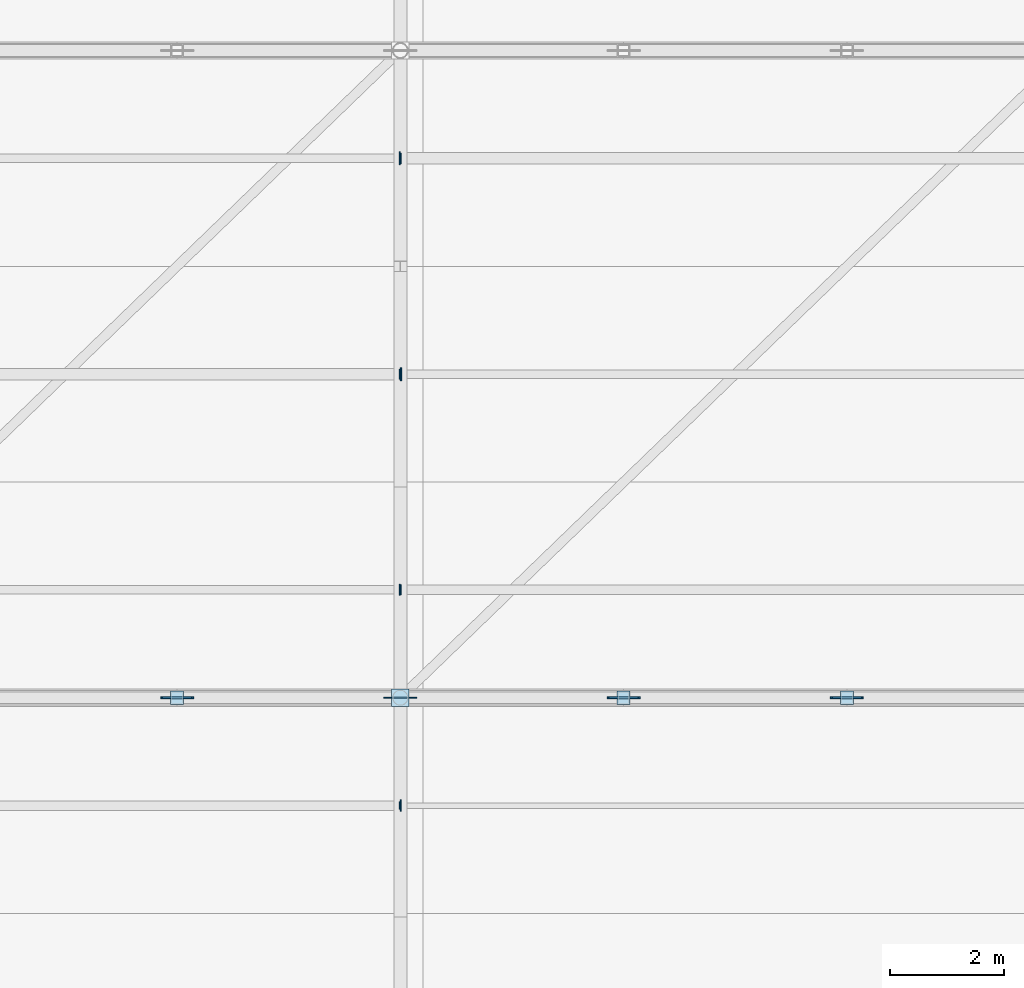
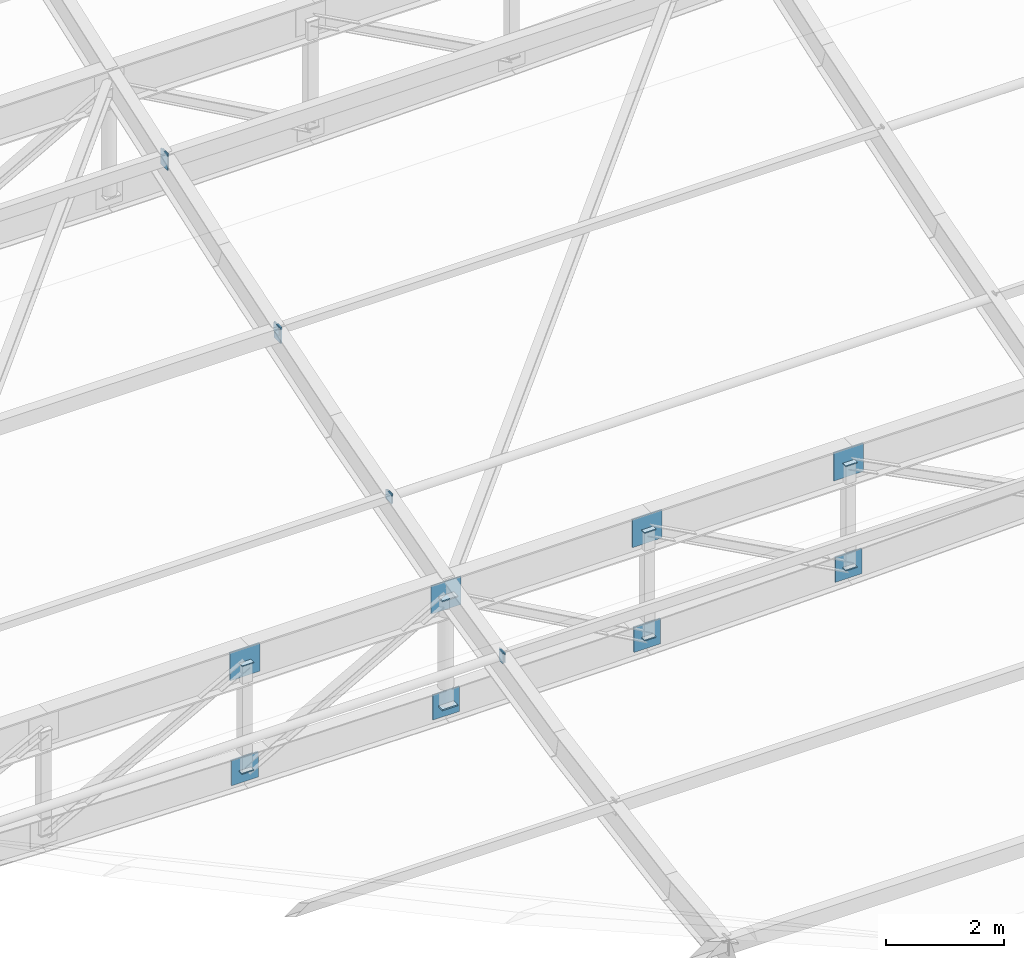
# One storey, part 53 of 65: 24 plates.
"""IFC4 building model written with IfcOpenShell, lengths in metres."""

from ifc_helpers import new_model, si_unit, direction, frame, origin, origin_2d, place, context, subcontext, project, spatial, rectangle, extrude, material, layer, layer_set, type_object, element, save


model = new_model("IFC4")

# Units and contexts
model_context = context("Model", 3, precision=1e-05, world=origin(), true_north=direction((0.0, 1.0)))
body_context = subcontext(model_context, "Body", "Model", "MODEL_VIEW")
ifc_project = project(units=[si_unit("LENGTHUNIT", "METRE"), si_unit("AREAUNIT", "SQUARE_METRE"), si_unit("VOLUMEUNIT", "CUBIC_METRE"), si_unit("PLANEANGLEUNIT", "RADIAN"), si_unit("MASSUNIT", "GRAM", prefix="KILO"), si_unit("POWERUNIT", "WATT"), si_unit("THERMODYNAMICTEMPERATUREUNIT", "KELVIN")], contexts=[model_context])

# Site, building, storey
site_placement = place(None, origin())
site = spatial("IfcSite", under=ifc_project, at=site_placement, CompositionType="ELEMENT")
building_placement = place(site_placement, origin())
building = spatial("IfcBuilding", under=site, at=building_placement, Name="Kelmbourne Parkland Aquatics Centre", CompositionType="ELEMENT")
storey_placement = place(building_placement, frame((0.0, 0.0, 27.0)))
storey = spatial("IfcBuildingStorey", under=building, at=storey_placement, Name="RF", CompositionType="ELEMENT", Elevation=27.0)

# Plates
ifc_material = material(Name="Welded plate steel AS/NZS 3678 Grade 350", Category="steel")
ifc_layer_1 = layer(ifc_material, 0.02001953125)
ifc_layer_set_1 = layer_set([ifc_layer_1], Name="Welded plate steel AS/NZS 3678 Grade 350")
plate_type_1 = type_object("IfcPlateType", Name="PL-CAP-20", PredefinedType="USERDEFINED", material=ifc_layer_set_1)
for number, where, z_axis, x_axis, name in (
    (1, (147.666748046875, 69.199951171875, -13.166015625), (0.0, 0.0, 1.0), (1.0, 0.0, 0.0), "Hollow end cap plate CAP-0181"),
    (2, (147.666748046875, 69.199951171875, -10.94140625), (0.0, 0.0, 1.0), (1.0, 0.0, 0.0), "Hollow end cap plate CAP-0182"),
    (3, (155.533203125, 69.199951171875, -13.166015625), (0.0, 0.0, 1.0), (1.0, 0.0, 0.0), "Hollow end cap plate CAP-0185"),
    (4, (155.533203125, 69.199951171875, -10.94140625), (0.0, 0.0, 1.0), (1.0, 0.0, 0.0), "Hollow end cap plate CAP-0186"),
    (5, (159.466796875, 69.199951171875, -13.09521484375), (0.0, 0.0, 1.0), (1.0, 0.0, 0.0), "Hollow end cap plate CAP-0187"),
    (6, (159.466796875, 69.199951171875, -10.94140625), (0.0, 0.0, 1.0), (1.0, 0.0, 0.0), "Hollow end cap plate CAP-0188"),
):
    element("IfcPlate", number, at=place(storey_placement, frame(where, z_axis=z_axis, x_axis=x_axis)), inside=storey, type_object=plate_type_1, Name=name, ObjectType="END CAP PLATE", PredefinedType="USERDEFINED", context=body_context, shape_type="SweptSolid", body=[
        extrude(rectangle(XDim=0.22998046875, YDim=0.22998046875, at=origin_2d()), origin(), (0.0, 0.0, 1.0), 0.02001953125),
    ])
plate_1_placement = place(storey_placement, frame((151.60888671875, 67.300048828125, -11.13525390625), z_axis=(0.0, 0.0, 1.0), x_axis=(1.0, 0.0, 0.0)))
element("IfcPlate", 7, at=plate_1_placement, inside=storey, type_object=plate_type_1, Name="Hollow end cap plate CAP-0440", ObjectType="END CAP PLATE", PredefinedType="USERDEFINED", context=body_context, shape_type="SweptSolid", body=[
    extrude(rectangle(XDim=0.02001953125, YDim=0.1982421875, at=origin_2d()), origin(), (0.0, 0.0, 1.0), 0.1982421875),
])
plate_2_placement = place(storey_placement, frame((151.591064453125, 67.300048828125, -11.1669921875), z_axis=(0.0, 0.0, 1.0), x_axis=(-1.0, 0.0, 0.0)))
element("IfcPlate", 8, at=plate_2_placement, inside=storey, type_object=plate_type_1, Name="Hollow end cap plate CAP-0441", ObjectType="END CAP PLATE", PredefinedType="USERDEFINED", context=body_context, shape_type="SweptSolid", body=[
    extrude(rectangle(XDim=0.02001953125, YDim=0.1298828125, at=origin_2d()), origin(), (0.0, 0.0, 1.0), 0.22998046875),
])
plate_3_placement = place(storey_placement, frame((151.60888671875, 71.10009765625, -10.1376953125), z_axis=(0.0, 0.0, 1.0), x_axis=(1.0, 0.0, 0.0)))
element("IfcPlate", 9, at=plate_3_placement, inside=storey, type_object=plate_type_1, Name="Hollow end cap plate CAP-0448", ObjectType="END CAP PLATE", PredefinedType="USERDEFINED", context=body_context, shape_type="SweptSolid", body=[
    extrude(rectangle(XDim=0.02001953125, YDim=0.179931640625, at=origin_2d()), origin(), (0.0, 0.0, 1.0), 0.179931640625),
])
plate_4_placement = place(storey_placement, frame((151.591064453125, 71.10009765625, -10.15576171875), z_axis=(0.0, 0.0, 1.0), x_axis=(-1.0, 0.0, 0.0)))
element("IfcPlate", 10, at=plate_4_placement, inside=storey, type_object=plate_type_1, Name="Hollow end cap plate CAP-0449", ObjectType="END CAP PLATE", PredefinedType="USERDEFINED", context=body_context, shape_type="SweptSolid", body=[
    extrude(rectangle(XDim=0.02001953125, YDim=0.1982421875, at=origin_2d()), origin(), (0.0, 0.0, 1.0), 0.1982421875),
])
plate_5_placement = place(storey_placement, frame((151.591064453125, 74.89990234375, -8.98583984375), z_axis=(0.0, 0.0, 1.0), x_axis=(-1.0, 0.0, 0.0)))
element("IfcPlate", 11, at=plate_5_placement, inside=storey, type_object=plate_type_1, Name="Hollow end cap plate CAP-0457", ObjectType="END CAP PLATE", PredefinedType="USERDEFINED", context=body_context, shape_type="SweptSolid", body=[
    extrude(rectangle(XDim=0.02001953125, YDim=0.179931640625, at=origin_2d()), origin(), (0.0, 0.0, 1.0), 0.179931640625),
])
plate_6_placement = place(storey_placement, frame((151.60888671875, 78.699951171875, -7.80615234375), z_axis=(0.0, 0.0, 1.0), x_axis=(1.0, 0.0, 0.0)))
element("IfcPlate", 12, at=plate_6_placement, inside=storey, type_object=plate_type_1, Name="Hollow end cap plate CAP-0464", ObjectType="END CAP PLATE", PredefinedType="USERDEFINED", context=body_context, shape_type="SweptSolid", body=[
    extrude(rectangle(XDim=0.02001953125, YDim=0.179931640625, at=origin_2d()), origin(), (0.0, 0.0, 1.0), 0.280029296875),
])
ifc_layer_2 = layer(ifc_material, 0.02392578125)
ifc_layer_set_2 = layer_set([ifc_layer_2], Name="Welded plate steel AS/NZS 3678 Grade 350")
plate_type_2 = type_object("IfcPlateType", Name="PL-CAP-24", PredefinedType="USERDEFINED", material=ifc_layer_set_2)
for number, where, z_axis, x_axis, name in (
    (13, (151.60009765625, 69.199951171875, -13.193359375), (0.0, 0.0, 1.0), (1.0, 0.0, 0.0), "Hollow end cap plate CAP-0183"),
    (14, (151.60009765625, 69.199951171875, -10.94140625), (0.0, 0.0, 1.0), (1.0, 0.0, 0.0), "Hollow end cap plate CAP-0184"),
):
    element("IfcPlate", number, at=place(storey_placement, frame(where, z_axis=z_axis, x_axis=x_axis)), inside=storey, type_object=plate_type_2, Name=name, ObjectType="END CAP PLATE", PredefinedType="USERDEFINED", context=body_context, shape_type="SweptSolid", body=[
        extrude(rectangle(XDim=0.302978515625, YDim=0.302978515625, at=origin_2d()), origin(), (0.0, 0.0, 1.0), 0.02392578125),
    ])
for number, where, z_axis, x_axis, name in (
    (15, (151.611083984375, 74.89990234375, -9.1357421875), (0.0, 0.0, 1.0), (1.0, 0.0, 0.0), "Hollow end cap plate CAP-0456"),
    (16, (151.589111328125, 78.699951171875, -7.856201171875), (0.0, 0.0, 1.0), (-1.0, 0.0, 0.0), "Hollow end cap plate CAP-0465"),
):
    element("IfcPlate", number, at=place(storey_placement, frame(where, z_axis=z_axis, x_axis=x_axis)), inside=storey, type_object=plate_type_2, Name=name, ObjectType="END CAP PLATE", PredefinedType="USERDEFINED", context=body_context, shape_type="SweptSolid", body=[
        extrude(rectangle(XDim=0.02392578125, YDim=0.22998046875, at=origin_2d()), origin(), (0.0, 0.0, 1.0), 0.330078125),
    ])
ifc_layer_3 = layer(ifc_material, 0.02490234375)
ifc_layer_set_3 = layer_set([ifc_layer_3], Name="Welded plate steel AS/NZS 3678 Grade 350")
plate_type_3 = type_object("IfcPlateType", Name="PL-GUS-2", PredefinedType="USERDEFINED", material=ifc_layer_set_3)
plate_7_placement = place(storey_placement, frame((151.60009765625, 69.199951171875, -11.23046875), z_axis=(0.0, 0.0, 1.0), x_axis=(1.0, 0.0, 0.0)))
element("IfcPlate", 17, at=plate_7_placement, inside=storey, type_object=plate_type_3, Name="Truss top node TN-2 gusset plate R06-N6", ObjectType="GUSSET PLATE", PredefinedType="USERDEFINED", context=body_context, shape_type="SweptSolid", body=[
    extrude(rectangle(XDim=0.580078125, YDim=0.02490234375, at=origin_2d()), origin(), (0.0, 0.0, 1.0), 0.580078125),
])
plate_8_placement = place(storey_placement, frame((151.60009765625, 69.199951171875, -13.430419921875), z_axis=(0.0, 0.0, 1.0), x_axis=(1.0, 0.0, 0.0)))
element("IfcPlate", 18, at=plate_8_placement, inside=storey, type_object=plate_type_3, Name="Truss bottom node TN-2 gusset plate R06-B6", ObjectType="GUSSET PLATE", PredefinedType="USERDEFINED", context=body_context, shape_type="SweptSolid", body=[
    extrude(rectangle(XDim=0.52001953125, YDim=0.02490234375, at=origin_2d()), origin(), (0.0, 0.0, 1.0), 0.52001953125),
])
ifc_layer_4 = layer(ifc_material, 0.031982421875)
ifc_layer_set_4 = layer_set([ifc_layer_4], Name="Welded plate steel AS/NZS 3678 Grade 350")
plate_type_4 = type_object("IfcPlateType", Name="PL-GUS-3", PredefinedType="USERDEFINED", material=ifc_layer_set_4)
plate_9_placement = place(storey_placement, frame((147.666748046875, 69.199951171875, -11.23046875), z_axis=(0.0, 0.0, 1.0), x_axis=(1.0, 0.0, 0.0)))
element("IfcPlate", 19, at=plate_9_placement, inside=storey, type_object=plate_type_4, Name="Truss top node TN-3 gusset plate R06-N5", ObjectType="GUSSET PLATE", PredefinedType="USERDEFINED", context=body_context, shape_type="SweptSolid", body=[
    extrude(rectangle(XDim=0.580078125, YDim=0.031982421875, at=origin_2d()), origin(), (0.0, 0.0, 1.0), 0.580078125),
])
plate_10_placement = place(storey_placement, frame((147.666748046875, 69.199951171875, -13.406982421875), z_axis=(0.0, 0.0, 1.0), x_axis=(1.0, 0.0, 0.0)))
element("IfcPlate", 20, at=plate_10_placement, inside=storey, type_object=plate_type_4, Name="Truss bottom node TN-3 gusset plate R06-B5", ObjectType="GUSSET PLATE", PredefinedType="USERDEFINED", context=body_context, shape_type="SweptSolid", body=[
    extrude(rectangle(XDim=0.52001953125, YDim=0.031982421875, at=origin_2d()), origin(), (0.0, 0.0, 1.0), 0.52001953125),
])
plate_11_placement = place(storey_placement, frame((155.533203125, 69.199951171875, -11.23046875), z_axis=(0.0, 0.0, 1.0), x_axis=(1.0, 0.0, 0.0)))
element("IfcPlate", 21, at=plate_11_placement, inside=storey, type_object=plate_type_4, Name="Truss top node TN-3 gusset plate R06-N7", ObjectType="GUSSET PLATE", PredefinedType="USERDEFINED", context=body_context, shape_type="SweptSolid", body=[
    extrude(rectangle(XDim=0.580078125, YDim=0.031982421875, at=origin_2d()), origin(), (0.0, 0.0, 1.0), 0.580078125),
])
plate_12_placement = place(storey_placement, frame((155.533203125, 69.199951171875, -13.406982421875), z_axis=(0.0, 0.0, 1.0), x_axis=(1.0, 0.0, 0.0)))
element("IfcPlate", 22, at=plate_12_placement, inside=storey, type_object=plate_type_4, Name="Truss bottom node TN-3 gusset plate R06-B7", ObjectType="GUSSET PLATE", PredefinedType="USERDEFINED", context=body_context, shape_type="SweptSolid", body=[
    extrude(rectangle(XDim=0.52001953125, YDim=0.031982421875, at=origin_2d()), origin(), (0.0, 0.0, 1.0), 0.52001953125),
])
plate_13_placement = place(storey_placement, frame((159.466796875, 69.199951171875, -11.23046875), z_axis=(0.0, 0.0, 1.0), x_axis=(1.0, 0.0, 0.0)))
element("IfcPlate", 23, at=plate_13_placement, inside=storey, type_object=plate_type_4, Name="Truss top node TN-3 gusset plate R06-N8", ObjectType="GUSSET PLATE", PredefinedType="USERDEFINED", context=body_context, shape_type="SweptSolid", body=[
    extrude(rectangle(XDim=0.580078125, YDim=0.031982421875, at=origin_2d()), origin(), (0.0, 0.0, 1.0), 0.580078125),
])
plate_14_placement = place(storey_placement, frame((159.466796875, 69.199951171875, -13.336181640625), z_axis=(0.0, 0.0, 1.0), x_axis=(1.0, 0.0, 0.0)))
element("IfcPlate", 24, at=plate_14_placement, inside=storey, type_object=plate_type_4, Name="Truss bottom node TN-3 gusset plate R06-B8", ObjectType="GUSSET PLATE", PredefinedType="USERDEFINED", context=body_context, shape_type="SweptSolid", body=[
    extrude(rectangle(XDim=0.52001953125, YDim=0.031982421875, at=origin_2d()), origin(), (0.0, 0.0, 1.0), 0.52001953125),
])

save(model, "model.ifc")
